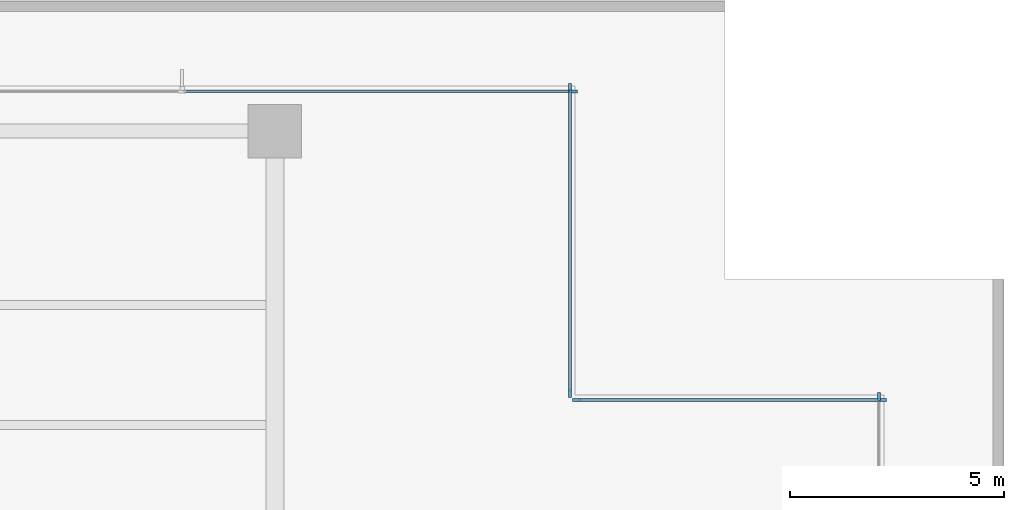
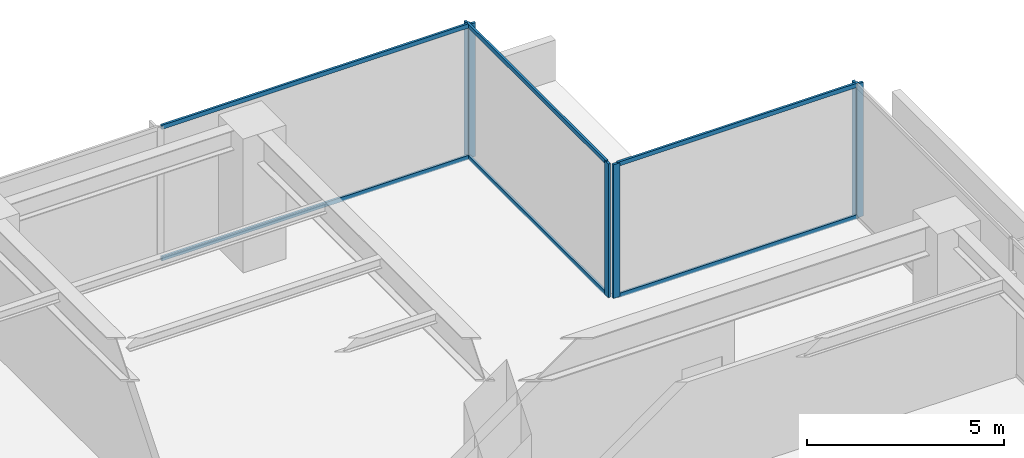
# One storey, part 6 of 16: 12 members, 4 elements without a shape of their own.
"""IFC4 building model written with IfcOpenShell, lengths in metres."""

from ifc_helpers import new_model, si_unit, direction, frame, origin, origin_2d, place, context, subcontext, project, spatial, rectangle, extrude, material, layer, layer_set, material_profile, profile_set, type_object, element, aggregate, save


model = new_model("IFC4")

# Units and contexts
model_context = context("Model", 3, precision=1e-05, world=origin(), true_north=direction((0.0, 1.0)))
body_context = subcontext(model_context, "Body", "Model", "MODEL_VIEW")
ifc_project = project(units=[si_unit("LENGTHUNIT", "METRE"), si_unit("AREAUNIT", "SQUARE_METRE"), si_unit("VOLUMEUNIT", "CUBIC_METRE"), si_unit("PLANEANGLEUNIT", "RADIAN"), si_unit("MASSUNIT", "GRAM", prefix="KILO")], contexts=[model_context])

# Site, building, storey
site_placement = place(None, origin())
site = spatial("IfcSite", under=ifc_project, at=site_placement, CompositionType="ELEMENT")
building_placement = place(site_placement, origin())
building = spatial("IfcBuilding", under=site, at=building_placement, Name="Qalmaran Belvedere Hotel", CompositionType="ELEMENT")
storey_placement = place(building_placement, frame((0.0, 0.0, 83.800048828125)))
storey = spatial("IfcBuildingStorey", under=building, at=storey_placement, Name="L20", CompositionType="ELEMENT", Elevation=83.800048828125)

# Curtain wall, member
ifc_material = material(Name="Anodised Bronze Aluminium", Category="aluminium")
ifc_layer = layer(ifc_material, 0.199951171875, Name="Anodised Bronze Aluminium")
ifc_layer_set = layer_set([ifc_layer], Name="Anodised Bronze Aluminium")
curtain_wall_type = type_object("IfcCurtainWallType", Name="CW3-TOWER-LOWMID", PredefinedType="NOTDEFINED", material=ifc_layer_set)
curtain_wall_1_placement = place(storey_placement, origin())
curtain_wall_1 = element("IfcCurtainWall", 1, at=curtain_wall_1_placement, inside=storey, type_object=curtain_wall_type, Name="L20 Curtain Wall CW3", PredefinedType="NOTDEFINED")
ifc_material_profile_1 = material_profile(ifc_material, rectangle(XDim=0.070068359375, YDim=0.18994140625, at=origin_2d()), Name="CWM70X190")
ifc_profile_set_1 = profile_set([ifc_material_profile_1], Name="Anodised Bronze Aluminium")
member_type_1 = type_object("IfcMemberType", Name="CWM-70X190", PredefinedType="MULLION", material=ifc_profile_set_1)
member_1_placement = place(storey_placement, frame((58.8798828125, 39.264892578125, 0.0), z_axis=(0.0, 0.0, 1.0), x_axis=(-1.0, 0.0, 0.0)))
member_1 = element("IfcMember", 2, at=member_1_placement, type_object=member_type_1, Name="CW3 mullion 5", PredefinedType="MULLION", context=body_context, shape_type="SweptSolid", body=[
    extrude(rectangle(XDim=0.070068359375, YDim=0.18994140625, at=origin_2d()), origin(), (0.0, 0.0, 1.0), 4.139892578125),
])
aggregate(curtain_wall_1, [member_1])

# Curtain wall, members
curtain_wall_2_placement = place(storey_placement, origin())
curtain_wall_2 = element("IfcCurtainWall", 3, at=curtain_wall_2_placement, inside=storey, type_object=curtain_wall_type, Name="L20 Curtain Wall CW3", PredefinedType="NOTDEFINED")
member_2_placement = place(storey_placement, frame((58.965087890625, 39.179931640625, 0.0), z_axis=(0.0, 0.0, 1.0), x_axis=(0.0, -1.0, 0.0)))
member_2 = element("IfcMember", 4, at=member_2_placement, type_object=member_type_1, Name="CW3 mullion 1", PredefinedType="MULLION", context=body_context, shape_type="SweptSolid", body=[
    extrude(rectangle(XDim=0.070068359375, YDim=0.18994140625, at=origin_2d()), origin(), (0.0, 0.0, 1.0), 4.139892578125),
])
member_3_placement = place(storey_placement, frame((51.8349609375, 39.179931640625, 0.0), z_axis=(0.0, 0.0, 1.0), x_axis=(0.0, -1.0, 0.0)))
member_3 = element("IfcMember", 5, at=member_3_placement, type_object=member_type_1, Name="CW3 mullion 2", PredefinedType="MULLION", context=body_context, shape_type="SweptSolid", body=[
    extrude(rectangle(XDim=0.070068359375, YDim=0.18994140625, at=origin_2d()), origin(), (0.0, 0.0, 1.0), 4.139892578125),
])

curtain_wall_3_placement = place(storey_placement, origin())
curtain_wall_3 = element("IfcCurtainWall", 6, at=curtain_wall_3_placement, inside=storey, type_object=curtain_wall_type, Name="L20 Curtain Wall CW3", PredefinedType="NOTDEFINED")
member_4_placement = place(storey_placement, frame((51.679931640625, 39.3349609375, 0.0), z_axis=(0.0, 0.0, 1.0), x_axis=(-1.0, 0.0, 0.0)))
member_4 = element("IfcMember", 7, at=member_4_placement, type_object=member_type_1, Name="CW3 mullion 1", PredefinedType="MULLION", context=body_context, shape_type="SweptSolid", body=[
    extrude(rectangle(XDim=0.070068359375, YDim=0.18994140625, at=origin_2d()), origin(), (0.0, 0.0, 1.0), 4.139892578125),
])
member_5_placement = place(storey_placement, frame((51.679931640625, 46.465087890625, 0.0), z_axis=(0.0, 0.0, 1.0), x_axis=(-1.0, 0.0, 0.0)))
member_5 = element("IfcMember", 8, at=member_5_placement, type_object=member_type_1, Name="CW3 mullion 2", PredefinedType="MULLION", context=body_context, shape_type="SweptSolid", body=[
    extrude(rectangle(XDim=0.070068359375, YDim=0.18994140625, at=origin_2d()), origin(), (0.0, 0.0, 1.0), 4.139892578125),
])

# Curtain wall, member
curtain_wall_4_placement = place(storey_placement, origin())
curtain_wall_4 = element("IfcCurtainWall", 9, at=curtain_wall_4_placement, inside=storey, type_object=curtain_wall_type, Name="L20 Curtain Wall CW3", PredefinedType="NOTDEFINED")
member_6_placement = place(storey_placement, frame((51.764892578125, 46.3798828125, 0.0), z_axis=(0.0, 0.0, 1.0), x_axis=(0.0, -1.0, 0.0)))
member_6 = element("IfcMember", 10, at=member_6_placement, type_object=member_type_1, Name="CW3 mullion 1", PredefinedType="MULLION", context=body_context, shape_type="SweptSolid", body=[
    extrude(rectangle(XDim=0.070068359375, YDim=0.18994140625, at=origin_2d()), origin(), (0.0, 0.0, 1.0), 4.139892578125),
])

# Member
ifc_material_profile_2 = material_profile(ifc_material, rectangle(XDim=0.06494140625, YDim=0.1298828125, at=origin_2d()), Name="CWT65X130")
ifc_profile_set_2 = profile_set([ifc_material_profile_2], Name="Anodised Bronze Aluminium")
member_type_2 = type_object("IfcMemberType", Name="CWT-65X130", PredefinedType="USERDEFINED", material=ifc_profile_set_2)
member_7_placement = place(storey_placement, frame((58.929931640625, 39.179931640625, 0.032470703125), z_axis=(-1.0, 0.0, 0.0), x_axis=(0.0, -1.0, 0.0)))
member_7 = element("IfcMember", 11, at=member_7_placement, type_object=member_type_2, Name="CW3 transom 1.1", ObjectType="TRANSOM", PredefinedType="USERDEFINED", context=body_context, shape_type="SweptSolid", body=[
    extrude(rectangle(XDim=0.06494140625, YDim=0.1298828125, at=origin_2d()), origin(), (0.0, 0.0, 1.0), 7.059814453125),
])

member_8_placement = place(storey_placement, frame((58.929931640625, 39.179931640625, 4.107421875), z_axis=(-1.0, 0.0, 0.0), x_axis=(0.0, -1.0, 0.0)))
member_8 = element("IfcMember", 12, at=member_8_placement, type_object=member_type_2, Name="CW3 transom 1.2", ObjectType="TRANSOM", PredefinedType="USERDEFINED", context=body_context, shape_type="SweptSolid", body=[
    extrude(rectangle(XDim=0.06494140625, YDim=0.1298828125, at=origin_2d()), origin(), (0.0, 0.0, 1.0), 7.059814453125),
])

aggregate(curtain_wall_2, [member_2, member_3, member_7, member_8])

member_9_placement = place(storey_placement, frame((51.679931640625, 39.3701171875, 0.032470703125), z_axis=(0.0, 1.0, 0.0), x_axis=(-1.0, 0.0, 0.0)))
member_9 = element("IfcMember", 13, at=member_9_placement, type_object=member_type_2, Name="CW3 transom 1.1", ObjectType="TRANSOM", PredefinedType="USERDEFINED", context=body_context, shape_type="SweptSolid", body=[
    extrude(rectangle(XDim=0.06494140625, YDim=0.1298828125, at=origin_2d()), origin(), (0.0, 0.0, 1.0), 7.059814453125),
])

member_10_placement = place(storey_placement, frame((51.679931640625, 39.3701171875, 4.107421875), z_axis=(0.0, 1.0, 0.0), x_axis=(-1.0, 0.0, 0.0)))
member_10 = element("IfcMember", 14, at=member_10_placement, type_object=member_type_2, Name="CW3 transom 1.2", ObjectType="TRANSOM", PredefinedType="USERDEFINED", context=body_context, shape_type="SweptSolid", body=[
    extrude(rectangle(XDim=0.06494140625, YDim=0.1298828125, at=origin_2d()), origin(), (0.0, 0.0, 1.0), 7.059814453125),
])

aggregate(curtain_wall_3, [member_4, member_5, member_9, member_10])

member_11_placement = place(storey_placement, frame((51.72998046875, 46.3798828125, 0.032470703125), z_axis=(-1.0, 0.0, 0.0), x_axis=(0.0, -1.0, 0.0)))
member_11 = element("IfcMember", 15, at=member_11_placement, type_object=member_type_2, Name="CW3 transom 1.1", ObjectType="TRANSOM", PredefinedType="USERDEFINED", context=body_context, shape_type="SweptSolid", body=[
    extrude(rectangle(XDim=0.06494140625, YDim=0.1298828125, at=origin_2d()), origin(), (0.0, 0.0, 1.0), 9.057373046875),
])

member_12_placement = place(storey_placement, frame((51.72998046875, 46.3798828125, 4.107421875), z_axis=(-1.0, 0.0, 0.0), x_axis=(0.0, -1.0, 0.0)))
member_12 = element("IfcMember", 16, at=member_12_placement, type_object=member_type_2, Name="CW3 transom 1.2", ObjectType="TRANSOM", PredefinedType="USERDEFINED", context=body_context, shape_type="SweptSolid", body=[
    extrude(rectangle(XDim=0.06494140625, YDim=0.1298828125, at=origin_2d()), origin(), (0.0, 0.0, 1.0), 9.057373046875),
])

aggregate(curtain_wall_4, [member_6, member_11, member_12])

save(model, "model.ifc")
